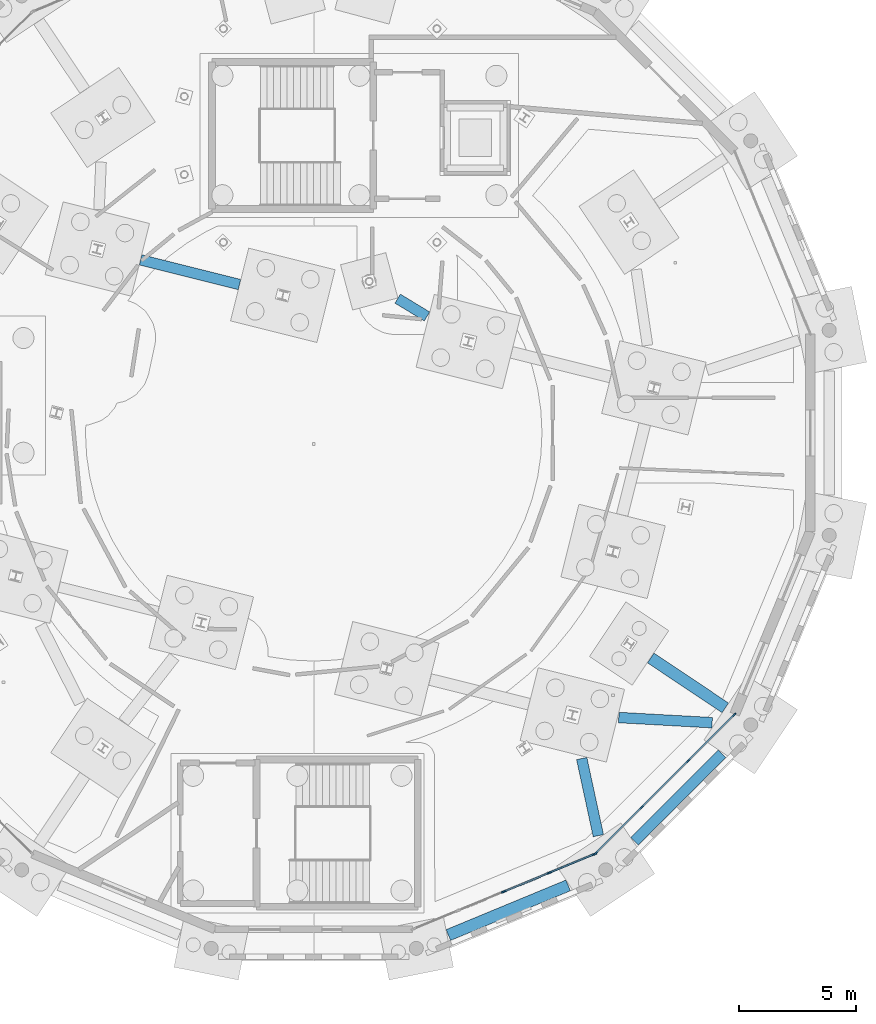
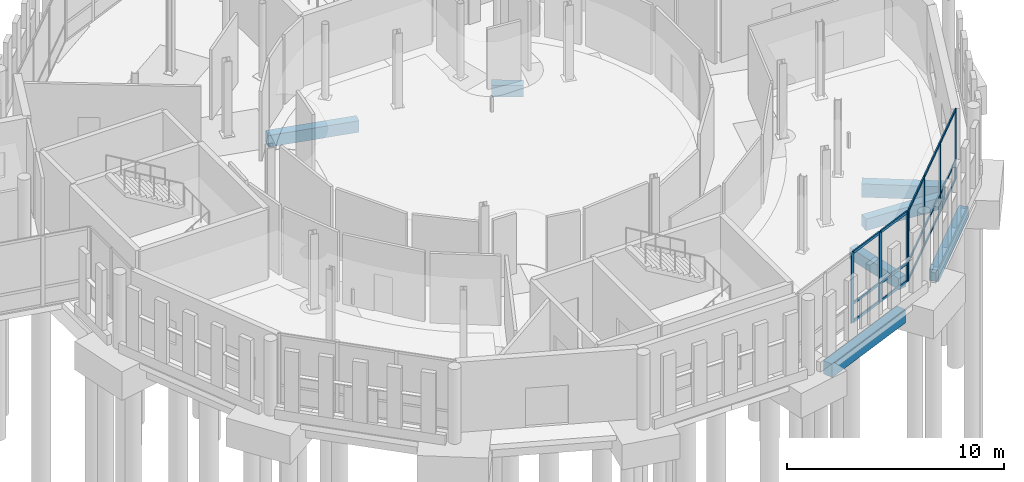
# One storey, part 53 of 113: 22 members, 7 beams, 2 elements without a shape of their own.
"""IFC4 building model written with IfcOpenShell, lengths in metres."""

from ifc_helpers import new_model, si_unit, direction, frame, origin, origin_2d, place, context, subcontext, project, spatial, rectangle, extrude, material, material_profile, profile_set, type_object, element, aggregate, save


model = new_model("IFC4")

# Units and contexts
model_context = context("Model", 3, precision=1e-05, world=origin(), true_north=direction((0.0, 1.0)))
body_context = subcontext(model_context, "Body", "Model", "MODEL_VIEW")
ifc_project = project(units=[si_unit("LENGTHUNIT", "METRE"), si_unit("AREAUNIT", "SQUARE_METRE"), si_unit("VOLUMEUNIT", "CUBIC_METRE"), si_unit("PLANEANGLEUNIT", "RADIAN"), si_unit("MASSUNIT", "GRAM", prefix="KILO")], contexts=[model_context])

# Site, building, storey
site_placement = place(None, origin())
site = spatial("IfcSite", under=ifc_project, at=site_placement, CompositionType="ELEMENT")
building_placement = place(site_placement, origin())
building = spatial("IfcBuilding", under=site, at=building_placement, Name="Wrenclough Park School", CompositionType="ELEMENT")
storey_placement = place(building_placement, origin())
storey = spatial("IfcBuildingStorey", under=building, at=storey_placement, Name="L00", CompositionType="ELEMENT", Elevation=0.0)

# Curtain wall, members
ifc_material_1 = material(Name="Thermally broken aluminium and low-e glass curtain wall", Category="aluminium")
curtain_wall_type_1 = type_object("IfcCurtainWallType", Name="ENV-CW-16", PredefinedType="USERDEFINED", material=ifc_material_1)
curtain_wall_1_placement = place(storey_placement, origin())
curtain_wall_1 = element("IfcCurtainWall", 1, at=curtain_wall_1_placement, inside=storey, type_object=curtain_wall_type_1, Name="L00 recessed curtain wall assembly 031", ObjectType="CURTAIN WALL", PredefinedType="USERDEFINED")
ifc_material_2 = material(Name="Thermally broken anodised aluminium", Category="aluminium")
ifc_material_profile_1 = material_profile(ifc_material_2, rectangle(XDim=0.06494140625, YDim=0.179931640625, at=origin_2d()), Name="AL MULLION 65x180")
ifc_profile_set_1 = profile_set([ifc_material_profile_1], Name="Thermally broken anodised aluminium")
member_type_1 = type_object("IfcMemberType", Name="ENV-CWM-2", PredefinedType="MULLION", material=ifc_profile_set_1)
member_1_placement = place(storey_placement, frame((173.45703125, 14.458740234375, 0.0), z_axis=(0.0, 0.0, 1.0), x_axis=(0.707106781187, -0.707106781187, 0.0)))
member_1 = element("IfcMember", 2, at=member_1_placement, type_object=member_type_1, Name="CW-16 mullion 1", PredefinedType="MULLION", context=body_context, shape_type="SweptSolid", body=[
    extrude(rectangle(XDim=0.06494140625, YDim=0.179931640625, at=origin_2d()), origin(), (0.0, 0.0, 1.0), 3.93994140625),
])
member_2_placement = place(storey_placement, frame((171.492919921875, 12.494384765625, 0.0), z_axis=(0.0, 0.0, 1.0), x_axis=(0.707106781187, -0.707106781187, 0.0)))
member_2 = element("IfcMember", 3, at=member_2_placement, type_object=member_type_1, Name="CW-16 mullion 2", PredefinedType="MULLION", context=body_context, shape_type="SweptSolid", body=[
    extrude(rectangle(XDim=0.06494140625, YDim=0.179931640625, at=origin_2d()), origin(), (0.0, 0.0, 1.0), 3.93994140625),
])
member_3_placement = place(storey_placement, frame((169.505615234375, 10.507080078125, 0.0), z_axis=(0.0, 0.0, 1.0), x_axis=(0.707106781187, -0.707106781187, 0.0)))
member_3 = element("IfcMember", 4, at=member_3_placement, type_object=member_type_1, Name="CW-16 mullion 3", PredefinedType="MULLION", context=body_context, shape_type="SweptSolid", body=[
    extrude(rectangle(XDim=0.06494140625, YDim=0.179931640625, at=origin_2d()), origin(), (0.0, 0.0, 1.0), 3.93994140625),
])
member_4_placement = place(storey_placement, frame((167.541259765625, 8.54296875, 0.0), z_axis=(0.0, 0.0, 1.0), x_axis=(0.707106781187, -0.707106781187, 0.0)))
member_4 = element("IfcMember", 5, at=member_4_placement, type_object=member_type_1, Name="CW-16 mullion 4", PredefinedType="MULLION", context=body_context, shape_type="SweptSolid", body=[
    extrude(rectangle(XDim=0.06494140625, YDim=0.179931640625, at=origin_2d()), origin(), (0.0, 0.0, 1.0), 3.93994140625),
])

curtain_wall_type_2 = type_object("IfcCurtainWallType", Name="ENV-CW-01", PredefinedType="USERDEFINED", material=ifc_material_1)
curtain_wall_2_placement = place(storey_placement, origin())
curtain_wall_2 = element("IfcCurtainWall", 6, at=curtain_wall_2_placement, inside=storey, type_object=curtain_wall_type_2, Name="L00 recessed curtain wall assembly 032", ObjectType="CURTAIN WALL", PredefinedType="USERDEFINED")
ifc_material_profile_2 = material_profile(ifc_material_2, rectangle(XDim=0.070068359375, YDim=0.199951171875, at=origin_2d()), Name="AL MULLION 70x200")
ifc_profile_set_2 = profile_set([ifc_material_profile_2], Name="Thermally broken anodised aluminium")
member_type_2 = type_object("IfcMemberType", Name="ENV-CWM-3", PredefinedType="MULLION", material=ifc_profile_set_2)
member_5_placement = place(storey_placement, frame((167.4794921875, 8.502197265625, 0.0), z_axis=(0.0, 0.0, 1.0), x_axis=(0.382686670549, -0.923878191205, 0.0)))
member_5 = element("IfcMember", 7, at=member_5_placement, type_object=member_type_2, Name="CW-01 mullion 1", PredefinedType="MULLION", context=body_context, shape_type="SweptSolid", body=[
    extrude(rectangle(XDim=0.070068359375, YDim=0.199951171875, at=origin_2d()), origin(), (0.0, 0.0, 1.0), 3.93994140625),
])
member_6_placement = place(storey_placement, frame((165.564697265625, 7.709228515625, 0.0), z_axis=(0.0, 0.0, 1.0), x_axis=(0.382686670549, -0.923878191205, 0.0)))
member_6 = element("IfcMember", 8, at=member_6_placement, type_object=member_type_2, Name="CW-01 mullion 2", PredefinedType="MULLION", context=body_context, shape_type="SweptSolid", body=[
    extrude(rectangle(XDim=0.070068359375, YDim=0.199951171875, at=origin_2d()), origin(), (0.0, 0.0, 1.0), 3.93994140625),
])
member_7_placement = place(storey_placement, frame((163.617431640625, 6.902587890625, 0.0), z_axis=(0.0, 0.0, 1.0), x_axis=(0.382686670549, -0.923878191205, 0.0)))
member_7 = element("IfcMember", 9, at=member_7_placement, type_object=member_type_2, Name="CW-01 mullion 3", PredefinedType="MULLION", context=body_context, shape_type="SweptSolid", body=[
    extrude(rectangle(XDim=0.070068359375, YDim=0.199951171875, at=origin_2d()), origin(), (0.0, 0.0, 1.0), 3.93994140625),
])

# Member
ifc_material_profile_3 = material_profile(ifc_material_2, rectangle(XDim=0.06494140625, YDim=0.139892578125, at=origin_2d()), Name="AL TRANSOM 65x140")
ifc_profile_set_3 = profile_set([ifc_material_profile_3], Name="Thermally broken anodised aluminium")
member_type_3 = type_object("IfcMemberType", Name="ENV-CWT-2", PredefinedType="USERDEFINED", material=ifc_profile_set_3)
member_8_placement = place(storey_placement, frame((173.43408203125, 14.435546875, 0.032470703125), z_axis=(-0.707106781187, -0.707106781187, 0.0), x_axis=(0.707106781187, -0.707106781187, 0.0)))
member_8 = element("IfcMember", 10, at=member_8_placement, type_object=member_type_3, Name="CW-16 transom 1.1", ObjectType="TRANSOM", PredefinedType="USERDEFINED", context=body_context, shape_type="SweptSolid", body=[
    extrude(rectangle(XDim=0.06494140625, YDim=0.139892578125, at=origin_2d()), origin(), (0.0, 0.0, 1.0), 2.712646484375),
])

member_9_placement = place(storey_placement, frame((173.43408203125, 14.435546875, 1.050048828125), z_axis=(-0.707106781187, -0.707106781187, 0.0), x_axis=(0.707106781187, -0.707106781187, 0.0)))
member_9 = element("IfcMember", 11, at=member_9_placement, type_object=member_type_3, Name="CW-16 transom 1.2", ObjectType="TRANSOM", PredefinedType="USERDEFINED", context=body_context, shape_type="SweptSolid", body=[
    extrude(rectangle(XDim=0.06494140625, YDim=0.139892578125, at=origin_2d()), origin(), (0.0, 0.0, 1.0), 2.712646484375),
])

member_10_placement = place(storey_placement, frame((173.43408203125, 14.435546875, 3.907470703125), z_axis=(-0.707106781187, -0.707106781187, 0.0), x_axis=(0.707106781187, -0.707106781187, 0.0)))
member_10 = element("IfcMember", 12, at=member_10_placement, type_object=member_type_3, Name="CW-16 transom 1.3", ObjectType="TRANSOM", PredefinedType="USERDEFINED", context=body_context, shape_type="SweptSolid", body=[
    extrude(rectangle(XDim=0.06494140625, YDim=0.139892578125, at=origin_2d()), origin(), (0.0, 0.0, 1.0), 2.712646484375),
])

member_11_placement = place(storey_placement, frame((171.4697265625, 12.471435546875, 0.032470703125), z_axis=(-0.707106781187, -0.707106781187, 0.0), x_axis=(0.707106781187, -0.707106781187, 0.0)))
member_11 = element("IfcMember", 13, at=member_11_placement, type_object=member_type_3, Name="CW-16 transom 2.1", ObjectType="TRANSOM", PredefinedType="USERDEFINED", context=body_context, shape_type="SweptSolid", body=[
    extrude(rectangle(XDim=0.06494140625, YDim=0.139892578125, at=origin_2d()), origin(), (0.0, 0.0, 1.0), 2.7451171875),
])

member_12_placement = place(storey_placement, frame((171.4697265625, 12.471435546875, 1.050048828125), z_axis=(-0.707106781187, -0.707106781187, 0.0), x_axis=(0.707106781187, -0.707106781187, 0.0)))
member_12 = element("IfcMember", 14, at=member_12_placement, type_object=member_type_3, Name="CW-16 transom 2.2", ObjectType="TRANSOM", PredefinedType="USERDEFINED", context=body_context, shape_type="SweptSolid", body=[
    extrude(rectangle(XDim=0.06494140625, YDim=0.139892578125, at=origin_2d()), origin(), (0.0, 0.0, 1.0), 2.7451171875),
])

member_13_placement = place(storey_placement, frame((171.4697265625, 12.471435546875, 3.907470703125), z_axis=(-0.707106781187, -0.707106781187, 0.0), x_axis=(0.707106781187, -0.707106781187, 0.0)))
member_13 = element("IfcMember", 15, at=member_13_placement, type_object=member_type_3, Name="CW-16 transom 2.3", ObjectType="TRANSOM", PredefinedType="USERDEFINED", context=body_context, shape_type="SweptSolid", body=[
    extrude(rectangle(XDim=0.06494140625, YDim=0.139892578125, at=origin_2d()), origin(), (0.0, 0.0, 1.0), 2.7451171875),
])

member_14_placement = place(storey_placement, frame((169.482666015625, 10.484130859375, 0.032470703125), z_axis=(-0.707106781187, -0.707106781187, 0.0), x_axis=(0.707106781187, -0.707106781187, 0.0)))
member_14 = element("IfcMember", 16, at=member_14_placement, type_object=member_type_3, Name="CW-16 transom 3.1", ObjectType="TRANSOM", PredefinedType="USERDEFINED", context=body_context, shape_type="SweptSolid", body=[
    extrude(rectangle(XDim=0.06494140625, YDim=0.139892578125, at=origin_2d()), origin(), (0.0, 0.0, 1.0), 2.712646484375),
])

member_15_placement = place(storey_placement, frame((169.482666015625, 10.484130859375, 1.050048828125), z_axis=(-0.707106781187, -0.707106781187, 0.0), x_axis=(0.707106781187, -0.707106781187, 0.0)))
member_15 = element("IfcMember", 17, at=member_15_placement, type_object=member_type_3, Name="CW-16 transom 3.2", ObjectType="TRANSOM", PredefinedType="USERDEFINED", context=body_context, shape_type="SweptSolid", body=[
    extrude(rectangle(XDim=0.06494140625, YDim=0.139892578125, at=origin_2d()), origin(), (0.0, 0.0, 1.0), 2.712646484375),
])

member_16_placement = place(storey_placement, frame((169.482666015625, 10.484130859375, 3.907470703125), z_axis=(-0.707106781187, -0.707106781187, 0.0), x_axis=(0.707106781187, -0.707106781187, 0.0)))
member_16 = element("IfcMember", 18, at=member_16_placement, type_object=member_type_3, Name="CW-16 transom 3.3", ObjectType="TRANSOM", PredefinedType="USERDEFINED", context=body_context, shape_type="SweptSolid", body=[
    extrude(rectangle(XDim=0.06494140625, YDim=0.139892578125, at=origin_2d()), origin(), (0.0, 0.0, 1.0), 2.712646484375),
])

aggregate(curtain_wall_1, [member_1, member_2, member_3, member_4, member_8, member_9, member_10, member_11, member_12, member_13, member_14, member_15, member_16])

ifc_material_profile_4 = material_profile(ifc_material_2, rectangle(XDim=0.070068359375, YDim=0.14990234375, at=origin_2d()), Name="AL TRANSOM 70x150")
ifc_profile_set_4 = profile_set([ifc_material_profile_4], Name="Thermally broken anodised aluminium")
member_type_4 = type_object("IfcMemberType", Name="ENV-CWT-3", PredefinedType="USERDEFINED", material=ifc_profile_set_4)
member_17_placement = place(storey_placement, frame((167.447265625, 8.489013671875, 0.034912109375), z_axis=(-0.923850421813, -0.382753704248, 0.0), x_axis=(0.382753704248, -0.923850421813, 0.0)))
member_17 = element("IfcMember", 19, at=member_17_placement, type_object=member_type_4, Name="CW-01 transom 1.1", ObjectType="TRANSOM", PredefinedType="USERDEFINED", context=body_context, shape_type="SweptSolid", body=[
    extrude(rectangle(XDim=0.070068359375, YDim=0.14990234375, at=origin_2d()), origin(), (0.0, 0.0, 1.0), 2.0029296875),
])

member_18_placement = place(storey_placement, frame((167.447265625, 8.489013671875, 1.050048828125), z_axis=(-0.923850421813, -0.382753704248, 0.0), x_axis=(0.382753704248, -0.923850421813, 0.0)))
member_18 = element("IfcMember", 20, at=member_18_placement, type_object=member_type_4, Name="CW-01 transom 1.2", ObjectType="TRANSOM", PredefinedType="USERDEFINED", context=body_context, shape_type="SweptSolid", body=[
    extrude(rectangle(XDim=0.070068359375, YDim=0.14990234375, at=origin_2d()), origin(), (0.0, 0.0, 1.0), 2.0029296875),
])

member_19_placement = place(storey_placement, frame((167.447265625, 8.489013671875, 3.905029296875), z_axis=(-0.923850421813, -0.382753704248, 0.0), x_axis=(0.382753704248, -0.923850421813, 0.0)))
member_19 = element("IfcMember", 21, at=member_19_placement, type_object=member_type_4, Name="CW-01 transom 1.3", ObjectType="TRANSOM", PredefinedType="USERDEFINED", context=body_context, shape_type="SweptSolid", body=[
    extrude(rectangle(XDim=0.070068359375, YDim=0.14990234375, at=origin_2d()), origin(), (0.0, 0.0, 1.0), 2.0029296875),
])

member_20_placement = place(storey_placement, frame((165.5322265625, 7.69580078125, 0.034912109375), z_axis=(-0.923862016386, -0.382725717294, 0.0), x_axis=(0.382725717294, -0.923862016386, 0.0)))
member_20 = element("IfcMember", 22, at=member_20_placement, type_object=member_type_4, Name="CW-01 transom 2.1", ObjectType="TRANSOM", PredefinedType="USERDEFINED", context=body_context, shape_type="SweptSolid", body=[
    extrude(rectangle(XDim=0.070068359375, YDim=0.14990234375, at=origin_2d()), origin(), (0.0, 0.0, 1.0), 2.037353515625),
])

member_21_placement = place(storey_placement, frame((165.5322265625, 7.69580078125, 1.050048828125), z_axis=(-0.923862016386, -0.382725717294, 0.0), x_axis=(0.382725717294, -0.923862016386, 0.0)))
member_21 = element("IfcMember", 23, at=member_21_placement, type_object=member_type_4, Name="CW-01 transom 2.2", ObjectType="TRANSOM", PredefinedType="USERDEFINED", context=body_context, shape_type="SweptSolid", body=[
    extrude(rectangle(XDim=0.070068359375, YDim=0.14990234375, at=origin_2d()), origin(), (0.0, 0.0, 1.0), 2.037353515625),
])

member_22_placement = place(storey_placement, frame((165.5322265625, 7.69580078125, 3.905029296875), z_axis=(-0.923862016386, -0.382725717294, 0.0), x_axis=(0.382725717294, -0.923862016386, 0.0)))
member_22 = element("IfcMember", 24, at=member_22_placement, type_object=member_type_4, Name="CW-01 transom 2.3", ObjectType="TRANSOM", PredefinedType="USERDEFINED", context=body_context, shape_type="SweptSolid", body=[
    extrude(rectangle(XDim=0.070068359375, YDim=0.14990234375, at=origin_2d()), origin(), (0.0, 0.0, 1.0), 2.037353515625),
])

aggregate(curtain_wall_2, [member_5, member_6, member_7, member_17, member_18, member_19, member_20, member_21, member_22])

# Beams
ifc_material_3 = material(Name="Concrete C35/45", Category="concrete")
ifc_material_profile_5 = material_profile(ifc_material_3, rectangle(XDim=0.449951171875, YDim=0.64990234375, at=origin_2d()), Name="RC GROUND 450x650")
ifc_profile_set_5 = profile_set([ifc_material_profile_5], Name="Concrete C35/45")
beam_type_1 = type_object("IfcBeamType", Name="STR-BM-GTB1", PredefinedType="USERDEFINED", material=ifc_profile_set_5)
beam_1_placement = place(storey_placement, frame((152.32861328125, 32.835693359375, -0.625), z_axis=(-0.970300728995, 0.241901829904, 0.0), x_axis=(-0.241901829904, -0.970300728995, 0.0)))
element("IfcBeam", 25, at=beam_1_placement, inside=storey, type_object=beam_type_1, Name="Reinforced concrete ground tie beam 005", ObjectType="GROUND TIE BEAM", PredefinedType="USERDEFINED", context=body_context, shape_type="SweptSolid", body=[
    extrude(rectangle(XDim=0.449951171875, YDim=0.64990234375, at=origin_2d()), origin(), (0.0, 0.0, 1.0), 4.350830078125),
])
beam_2_placement = place(storey_placement, frame((160.337890625, 31.470703125, -0.625), z_axis=(-0.854716221492, 0.519095541031, 0.0), x_axis=(-0.519095541031, -0.854716221492, 0.0)))
element("IfcBeam", 26, at=beam_2_placement, inside=storey, type_object=beam_type_1, Name="Reinforced concrete ground tie beam 007", ObjectType="GROUND TIE BEAM", PredefinedType="USERDEFINED", context=body_context, shape_type="SweptSolid", body=[
    extrude(rectangle(XDim=0.449951171875, YDim=0.64990234375, at=origin_2d()), origin(), (0.0, 0.0, 1.0), 1.465087890625),
])
beam_3_placement = place(storey_placement, frame((166.946044921875, 12.58935546875, -0.625), z_axis=(0.210968135958, -0.977492938906, 0.0), x_axis=(0.977492938906, 0.210968135958, 0.0)))
element("IfcBeam", 27, at=beam_3_placement, inside=storey, type_object=beam_type_1, Name="Reinforced concrete ground tie beam 009", ObjectType="GROUND TIE BEAM", PredefinedType="USERDEFINED", context=body_context, shape_type="SweptSolid", body=[
    extrude(rectangle(XDim=0.449951171875, YDim=0.64990234375, at=origin_2d()), origin(), (0.0, 0.0, 1.0), 3.37109375),
])
beam_4_placement = place(storey_placement, frame((169.19921875, 9.06005859375, -0.625), z_axis=(0.707106781187, 0.707106781187, 0.0), x_axis=(-0.707106781187, 0.707106781187, 0.0)))
element("IfcBeam", 28, at=beam_4_placement, inside=storey, type_object=beam_type_1, Name="Reinforced concrete ground tie beam 047", ObjectType="GROUND TIE BEAM", PredefinedType="USERDEFINED", context=body_context, shape_type="SweptSolid", body=[
    extrude(rectangle(XDim=0.449951171875, YDim=0.64990234375, at=origin_2d()), origin(), (0.0, 0.0, 1.0), 5.290283203125),
])
beam_5_placement = place(storey_placement, frame((172.517822265625, 14.118896484375, -0.625), z_axis=(-0.998466925586, 0.055351589952, 0.0), x_axis=(-0.055351589952, -0.998466925586, 0.0)))
element("IfcBeam", 29, at=beam_5_placement, inside=storey, type_object=beam_type_1, Name="Reinforced concrete ground tie beam 049", ObjectType="GROUND TIE BEAM", PredefinedType="USERDEFINED", context=body_context, shape_type="SweptSolid", body=[
    extrude(rectangle(XDim=0.449951171875, YDim=0.64990234375, at=origin_2d()), origin(), (0.0, 0.0, 1.0), 3.99609375),
])
ifc_material_profile_6 = material_profile(ifc_material_3, rectangle(XDim=0.5, YDim=0.75, at=origin_2d()), Name="RC GROUND 500x750")
ifc_profile_set_6 = profile_set([ifc_material_profile_6], Name="Concrete C35/45")
beam_type_2 = type_object("IfcBeamType", Name="STR-BM-GTB2", PredefinedType="USERDEFINED", material=ifc_profile_set_6)
beam_6_placement = place(storey_placement, frame((161.25048828125, 5.049072265625, -0.675048828125), z_axis=(0.923877119512, 0.382689257808, 0.0), x_axis=(-0.382689257808, 0.923877119512, 0.0)))
element("IfcBeam", 30, at=beam_6_placement, inside=storey, type_object=beam_type_2, Name="Reinforced concrete ground tie beam 046", ObjectType="GROUND TIE BEAM", PredefinedType="USERDEFINED", context=body_context, shape_type="SweptSolid", body=[
    extrude(rectangle(XDim=0.5, YDim=0.75, at=origin_2d()), origin(), (0.0, 0.0, 1.0), 5.53759765625),
])
beam_7_placement = place(storey_placement, frame((173.078857421875, 14.754150390625, -0.675048828125), z_axis=(-0.83145221178, 0.555596273859, 0.0), x_axis=(-0.555596273859, -0.83145221178, 0.0)))
element("IfcBeam", 31, at=beam_7_placement, inside=storey, type_object=beam_type_2, Name="Reinforced concrete ground tie beam 048", ObjectType="GROUND TIE BEAM", PredefinedType="USERDEFINED", context=body_context, shape_type="SweptSolid", body=[
    extrude(rectangle(XDim=0.5, YDim=0.75, at=origin_2d()), origin(), (0.0, 0.0, 1.0), 3.833984375),
])

save(model, "model.ifc")
